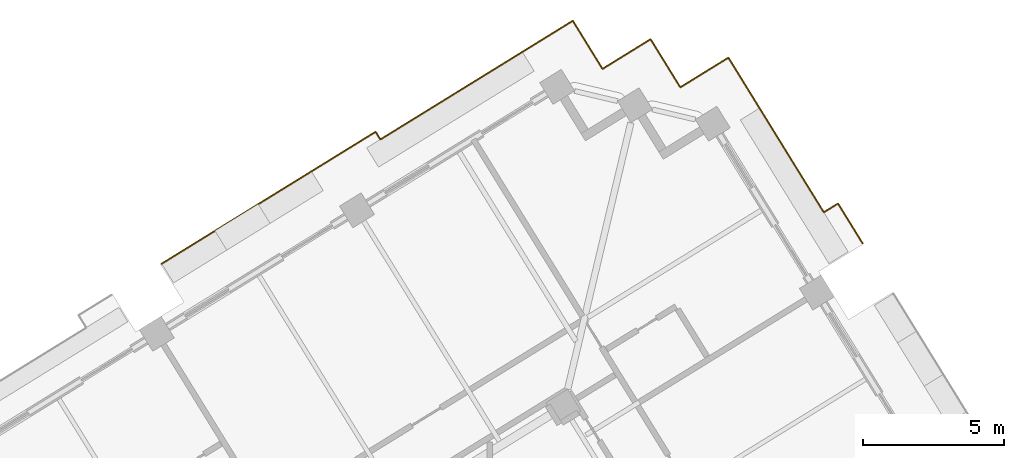
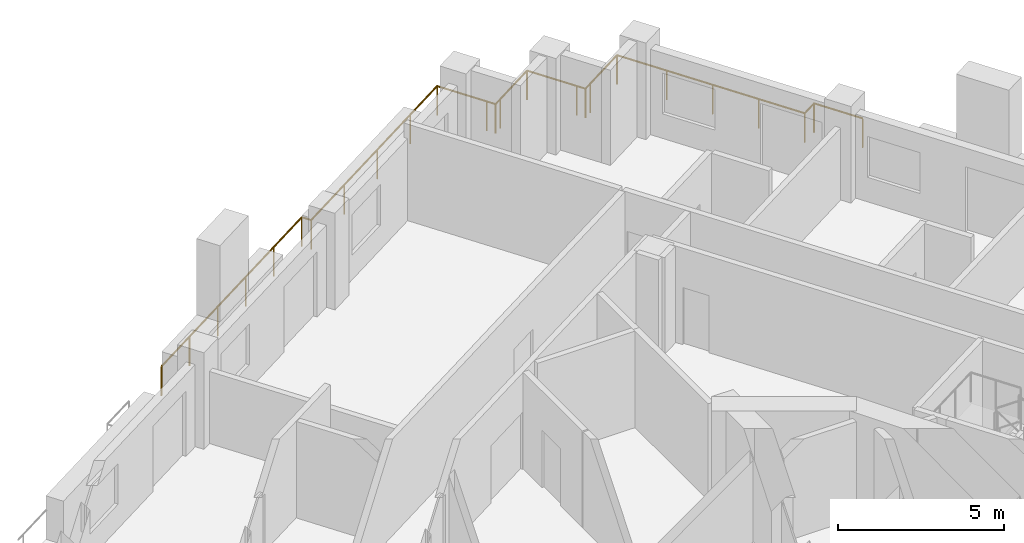
# One storey, part 19 of 20: 2 railings.
"""IFC4 building model written with IfcOpenShell, lengths in metres."""

from ifc_helpers import new_model, si_unit, direction, frame, origin, origin_2d, place, context, subcontext, project, spatial, circle, extrude, material, type_object, element, save


model = new_model("IFC4")

# Units and contexts
model_context = context("Model", 3, precision=1e-05, world=origin(), true_north=direction((0.0, 1.0)))
body_context = subcontext(model_context, "Body", "Model", "MODEL_VIEW")
ifc_project = project(units=[si_unit("LENGTHUNIT", "METRE"), si_unit("AREAUNIT", "SQUARE_METRE"), si_unit("VOLUMEUNIT", "CUBIC_METRE"), si_unit("PLANEANGLEUNIT", "RADIAN"), si_unit("MASSUNIT", "GRAM", prefix="KILO")], contexts=[model_context])

# Site, building, storey
site_placement = place(None, origin())
site = spatial("IfcSite", under=ifc_project, at=site_placement, CompositionType="ELEMENT")
building_placement = place(site_placement, origin())
building = spatial("IfcBuilding", under=site, at=building_placement, Name="Cantera Rosa Tower", CompositionType="ELEMENT")
storey_placement = place(building_placement, frame((0.0, 0.0, 151.39990234375)))
storey = spatial("IfcBuildingStorey", under=building, at=storey_placement, Name="L32", CompositionType="ELEMENT", Elevation=151.39990234375)

# Railings
ifc_material = material(Name="Stainless steel and laminated glass", Category="steel")
railing_type = type_object("IfcRailingType", Name="GUARD 1100", PredefinedType="BALUSTRADE", material=ifc_material)
railing_1_placement = place(storey_placement, frame((12.44873046875, 30.2958984375, 0.0)))
element("IfcRailing", 1, at=railing_1_placement, inside=storey, type_object=railing_type, Name="GUARD L32-13", PredefinedType="BALUSTRADE", context=body_context, shape_type="SweptSolid", body=[
    extrude(circle(Radius=0.030029296875, at=origin_2d()), frame((0.0, 0.0, 1.070068359375), z_axis=(0.524994468487, -0.851105638601, 0.0), x_axis=(0.851105638601, 0.524994468487, 0.0)), (0.0, 0.0, 1.0), 1.7001953125),
    extrude(circle(Radius=0.030029296875, at=origin_2d()), frame((0.892578125, -1.447021484375, 1.070068359375), z_axis=(0.525004673435, -0.851099343715, 0.0), x_axis=(0.851099343715, 0.525004673435, 0.0)), (0.0, 0.0, 1.0), 4.72802734375),
    extrude(circle(Radius=0.030029296875, at=origin_2d()), frame((3.374755859375, -5.470947265625, 1.070068359375), z_axis=(0.851204663561, 0.524833898231, 0.0), x_axis=(-0.524833898231, 0.851204663561, 0.0)), (0.0, 0.0, 1.0), 0.591796875),
    extrude(circle(Radius=0.030029296875, at=origin_2d()), frame((3.87841796875, -5.160400390625, 1.070068359375), z_axis=(0.525064312401, -0.85106255225, 0.0), x_axis=(0.85106255225, 0.525064312401, 0.0)), (0.0, 0.0, 1.0), 1.661865234375),
    extrude(circle(Radius=0.02490234375, at=origin_2d()), origin(), (0.0, 0.0, 1.0), 1.0400390625),
    extrude(circle(Radius=0.02490234375, at=origin_2d()), frame((0.892578125, -1.447021484375, 0.0)), (0.0, 0.0, 1.0), 1.0400390625),
    extrude(circle(Radius=0.02490234375, at=origin_2d()), frame((1.719970703125, -2.788330078125, 0.0)), (0.0, 0.0, 1.0), 1.0400390625),
    extrude(circle(Radius=0.02490234375, at=origin_2d()), frame((2.54736328125, -4.129638671875, 0.0)), (0.0, 0.0, 1.0), 1.0400390625),
    extrude(circle(Radius=0.02490234375, at=origin_2d()), frame((3.374755859375, -5.470947265625, 0.0)), (0.0, 0.0, 1.0), 1.0400390625),
    extrude(circle(Radius=0.02490234375, at=origin_2d()), frame((3.87841796875, -5.160400390625, 0.0)), (0.0, 0.0, 1.0), 1.0400390625),
    extrude(circle(Radius=0.02490234375, at=origin_2d()), frame((4.7509765625, -6.57470703125, 0.0)), (0.0, 0.0, 1.0), 1.0400390625),
])
railing_2_placement = place(storey_placement, frame((-7.6162109375, 22.99560546875, 0.0)))
element("IfcRailing", 2, at=railing_2_placement, inside=storey, type_object=railing_type, Name="GUARD L32-14", PredefinedType="BALUSTRADE", context=body_context, shape_type="SweptSolid", body=[
    extrude(circle(Radius=0.030029296875, at=origin_2d()), frame((0.0, 0.0, 1.070068359375), z_axis=(0.851115983017, 0.524977698053, 0.0), x_axis=(-0.524977698053, 0.851115983017, 0.0)), (0.0, 0.0, 1.0), 8.910400390625),
    extrude(circle(Radius=0.030029296875, at=origin_2d()), frame((7.583740234375, 4.677734375, 1.070068359375), z_axis=(0.525330545402, -0.850898241899, 0.0), x_axis=(0.850898241899, 0.525330545402, 0.0)), (0.0, 0.0, 1.0), 0.3203125),
    extrude(circle(Radius=0.030029296875, at=origin_2d()), frame((7.751953125, 4.4052734375, 1.070068359375), z_axis=(0.851122963342, 0.524966381087, 0.0), x_axis=(-0.524966381087, 0.851122963342, 0.0)), (0.0, 0.0, 1.0), 6.2998046875),
    extrude(circle(Radius=0.030029296875, at=origin_2d()), frame((13.11376953125, 7.71240234375, 1.070068359375), z_axis=(0.851130227454, 0.524954603669, 0.0), x_axis=(-0.524954603669, 0.851130227454, 0.0)), (0.0, 0.0, 1.0), 1.699951171875),
    extrude(circle(Radius=0.030029296875, at=origin_2d()), frame((14.560546875, 8.604736328125, 1.070068359375), z_axis=(0.525058638144, -0.851066052965, 0.0), x_axis=(0.851066052965, 0.525058638144, 0.0)), (0.0, 0.0, 1.0), 1.699951171875),
    extrude(circle(Radius=0.030029296875, at=origin_2d()), frame((15.453125, 7.157958984375, 1.070068359375), z_axis=(0.524869051004, -0.85118298814, 0.0), x_axis=(0.85118298814, 0.524869051004, 0.0)), (0.0, 0.0, 1.0), 0.300048828125),
    extrude(circle(Radius=0.030029296875, at=origin_2d()), frame((15.610595703125, 6.902587890625, 1.070068359375), z_axis=(0.85118298814, 0.524869051004, 0.0), x_axis=(-0.524869051004, 0.85118298814, 0.0)), (0.0, 0.0, 1.0), 0.300048828125),
    extrude(circle(Radius=0.030029296875, at=origin_2d()), frame((15.865966796875, 7.06005859375, 1.070068359375), z_axis=(0.851066052965, 0.525058638144, 0.0), x_axis=(-0.525058638144, 0.851066052965, 0.0)), (0.0, 0.0, 1.0), 1.699951171875),
    extrude(circle(Radius=0.030029296875, at=origin_2d()), frame((17.312744140625, 7.95263671875, 1.070068359375), z_axis=(0.524994468487, -0.851105638601, 0.0), x_axis=(0.851105638601, 0.524994468487, 0.0)), (0.0, 0.0, 1.0), 1.7001953125),
    extrude(circle(Radius=0.030029296875, at=origin_2d()), frame((18.205322265625, 6.505615234375, 1.070068359375), z_axis=(0.524869051004, -0.85118298814, 0.0), x_axis=(0.85118298814, 0.524869051004, 0.0)), (0.0, 0.0, 1.0), 0.300048828125),
    extrude(circle(Radius=0.030029296875, at=origin_2d()), frame((18.36279296875, 6.250244140625, 1.070068359375), z_axis=(0.85118298814, 0.524869051004, 0.0), x_axis=(-0.524869051004, 0.85118298814, 0.0)), (0.0, 0.0, 1.0), 0.300048828125),
    extrude(circle(Radius=0.030029296875, at=origin_2d()), frame((18.6181640625, 6.40771484375, 1.070068359375), z_axis=(0.851066052965, 0.525058638144, 0.0), x_axis=(-0.525058638144, 0.851066052965, 0.0)), (0.0, 0.0, 1.0), 1.699951171875),
    extrude(circle(Radius=0.02490234375, at=origin_2d()), origin(), (0.0, 0.0, 1.0), 1.0400390625),
    extrude(circle(Radius=0.02490234375, at=origin_2d()), frame((1.516845703125, 0.935546875, 0.0)), (0.0, 0.0, 1.0), 1.0400390625),
    extrude(circle(Radius=0.02490234375, at=origin_2d()), frame((3.033447265625, 1.87109375, 0.0)), (0.0, 0.0, 1.0), 1.0400390625),
    extrude(circle(Radius=0.02490234375, at=origin_2d()), frame((4.55029296875, 2.806640625, 0.0)), (0.0, 0.0, 1.0), 1.0400390625),
    extrude(circle(Radius=0.02490234375, at=origin_2d()), frame((6.06689453125, 3.7421875, 0.0)), (0.0, 0.0, 1.0), 1.0400390625),
    extrude(circle(Radius=0.02490234375, at=origin_2d()), frame((7.583740234375, 4.677734375, 0.0)), (0.0, 0.0, 1.0), 1.0400390625),
    extrude(circle(Radius=0.02490234375, at=origin_2d()), frame((7.751953125, 4.4052734375, 0.0)), (0.0, 0.0, 1.0), 1.0400390625),
    extrude(circle(Radius=0.02490234375, at=origin_2d()), frame((9.539306640625, 5.507568359375, 0.0)), (0.0, 0.0, 1.0), 1.0400390625),
    extrude(circle(Radius=0.02490234375, at=origin_2d()), frame((11.326416015625, 6.610107421875, 0.0)), (0.0, 0.0, 1.0), 1.0400390625),
    extrude(circle(Radius=0.02490234375, at=origin_2d()), frame((13.11376953125, 7.71240234375, 0.0)), (0.0, 0.0, 1.0), 1.0400390625),
    extrude(circle(Radius=0.02490234375, at=origin_2d()), frame((14.560546875, 8.604736328125, 0.0)), (0.0, 0.0, 1.0), 1.0400390625),
    extrude(circle(Radius=0.02490234375, at=origin_2d()), frame((15.453125, 7.157958984375, 0.0)), (0.0, 0.0, 1.0), 1.0400390625),
    extrude(circle(Radius=0.02490234375, at=origin_2d()), frame((15.610595703125, 6.902587890625, 0.0)), (0.0, 0.0, 1.0), 1.0400390625),
    extrude(circle(Radius=0.02490234375, at=origin_2d()), frame((15.865966796875, 7.06005859375, 0.0)), (0.0, 0.0, 1.0), 1.0400390625),
    extrude(circle(Radius=0.02490234375, at=origin_2d()), frame((17.312744140625, 7.95263671875, 0.0)), (0.0, 0.0, 1.0), 1.0400390625),
    extrude(circle(Radius=0.02490234375, at=origin_2d()), frame((18.205322265625, 6.505615234375, 0.0)), (0.0, 0.0, 1.0), 1.0400390625),
    extrude(circle(Radius=0.02490234375, at=origin_2d()), frame((18.36279296875, 6.250244140625, 0.0)), (0.0, 0.0, 1.0), 1.0400390625),
    extrude(circle(Radius=0.02490234375, at=origin_2d()), frame((18.6181640625, 6.40771484375, 0.0)), (0.0, 0.0, 1.0), 1.0400390625),
    extrude(circle(Radius=0.02490234375, at=origin_2d()), frame((20.06494140625, 7.30029296875, 0.0)), (0.0, 0.0, 1.0), 1.0400390625),
])

save(model, "model.ifc")
